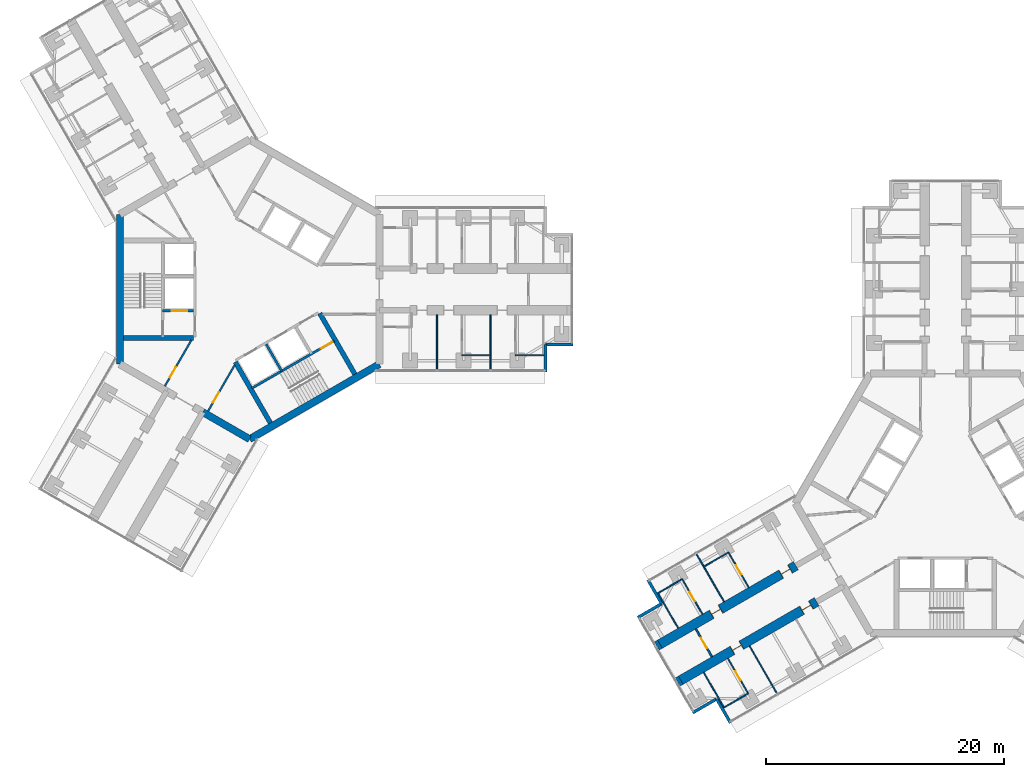
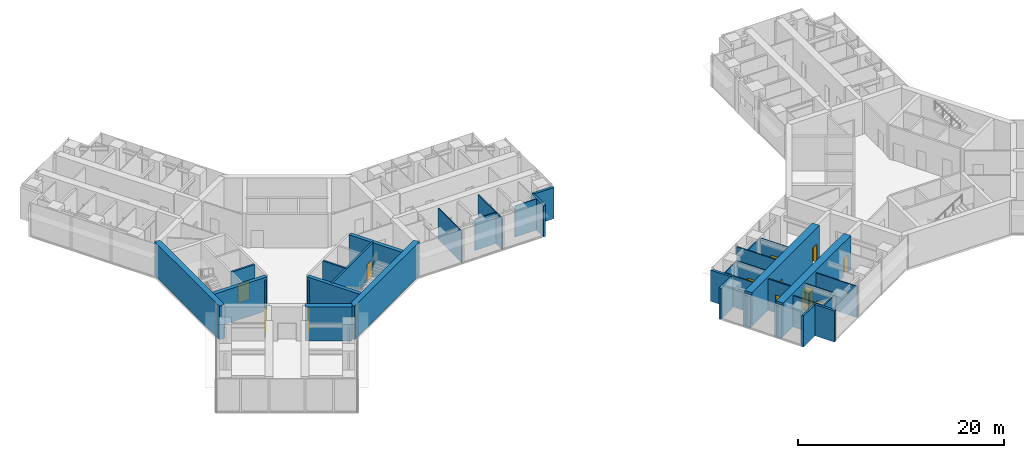
# One storey, part 15 of 23: 36 walls, 12 doors, 12 openings.
"""IFC4 building model written with IfcOpenShell, lengths in metres."""

from ifc_helpers import new_model, si_unit, direction, frame, frame_2d, origin, place, context, subcontext, project, spatial, rectangle, extrude, material, layer, layer_set, type_object, element, fill, save


model = new_model("IFC4")

# Units and contexts
model_context = context("Model", 3, precision=1e-05, world=origin(), true_north=direction((0.0, 1.0)))
body_context = subcontext(model_context, "Body", "Model", "MODEL_VIEW")
ifc_project = project(units=[si_unit("LENGTHUNIT", "METRE"), si_unit("AREAUNIT", "SQUARE_METRE"), si_unit("VOLUMEUNIT", "CUBIC_METRE"), si_unit("PLANEANGLEUNIT", "RADIAN"), si_unit("MASSUNIT", "GRAM", prefix="KILO")], contexts=[model_context])

# Site, building, storey
site_placement = place(None, origin())
site = spatial("IfcSite", under=ifc_project, at=site_placement, CompositionType="ELEMENT")
building_placement = place(site_placement, origin())
building = spatial("IfcBuilding", under=site, at=building_placement, Name="Upepo Twin Towers", CompositionType="ELEMENT")
storey_placement = place(building_placement, frame((0.0, 0.0, 161.5)))
storey = spatial("IfcBuildingStorey", under=building, at=storey_placement, Name="L39", CompositionType="ELEMENT", Elevation=161.5)

# Walls
ifc_material_1 = material(Name="Dense concrete blockwork", Category="masonry")
ifc_layer_1 = layer(ifc_material_1, 0.800048828125)
ifc_layer_set_1 = layer_set([ifc_layer_1], Name="Buttress closer 800, blockwork with fire-stopping to the curtain wall")
wall_type_1 = type_object("IfcWallType", Name="Buttress closer 800, blockwork with fire-stopping to the curtain wall", PredefinedType="PARTITIONING", material=ifc_layer_set_1)
wall_1_placement = place(storey_placement, frame((36.252197265625, -32.865478515625, 0.0), z_axis=(0.0, 0.0, 1.0), x_axis=(-0.865778900179, -0.500426713919, 0.0)))
element("IfcWall", 1, at=wall_1_placement, inside=storey, type_object=wall_type_1, Name="T2 L39 wing B buttress closer L", PredefinedType="PARTITIONING", context=body_context, shape_type="SweptSolid", body=[
    extrude(rectangle(XDim=0.300048828125, YDim=0.800048828125, at=frame_2d((0.14990234375, 0.0))), origin(), (0.0, 0.0, 1.0), 3.699951171875),
])
wall_2_placement = place(storey_placement, frame((34.502197265625, -29.83447265625, 0.0), z_axis=(0.0, 0.0, 1.0), x_axis=(-0.866131372301, -0.499816412211, 0.0)))
element("IfcWall", 2, at=wall_2_placement, inside=storey, type_object=wall_type_1, Name="T2 L39 wing B buttress closer R", PredefinedType="PARTITIONING", context=body_context, shape_type="SweptSolid", body=[
    extrude(rectangle(XDim=0.2998046875, YDim=0.800048828125, at=frame_2d((0.14990234375, 0.0))), origin(), (0.0, 0.0, 1.0), 3.699951171875),
])

# Wall, openings, doors
ifc_material_2 = material(Name="Concrete C60/75", Category="concrete")
ifc_layer_2 = layer(ifc_material_2, 0.800048828125)
ifc_layer_set_2 = layer_set([ifc_layer_2], Name="Concrete C60/75")
wall_type_2 = type_object("IfcWallType", Name="Buttress wall 800 RC", PredefinedType="SHEAR", material=ifc_layer_set_2)
wall_3_placement = place(storey_placement, frame((47.68359375, -26.265625, 0.0), z_axis=(0.0, 0.0, 1.0), x_axis=(-0.866027579429, -0.499996231654, 0.0)))
wall_3 = element("IfcWall", 3, at=wall_3_placement, inside=storey, type_object=wall_type_2, Name="T2 wing B buttress wall L part 2", PredefinedType="SHEAR", context=body_context, shape_type="SweptSolid", body=[
    extrude(rectangle(XDim=13.19970703125, YDim=0.800048828125, at=frame_2d((6.599853515625, 0.0))), origin(), (0.0, 0.0, 1.0), 4.0),
])
opening_1_placement = place(wall_3_placement, frame((0.550048828125, 0.0, 0.0)))
opening_1 = element("IfcOpeningElement", 4, at=opening_1_placement, cuts=wall_3, Name="Opening D14", PredefinedType="OPENING", context=body_context, shape_type="SweptSolid", body=[
    extrude(rectangle(XDim=0.89990234375, YDim=2.10009765625, at=frame_2d((0.449951171875, 1.050048828125))), frame((0.0, 0.409912109375, 0.0), z_axis=(0.0, -1.0, 0.0), x_axis=(1.0, 0.0, 0.0)), (0.0, 0.0, 1.0), 0.820068359375),
])
opening_2_placement = place(wall_3_placement, frame((7.300048828125, 0.0, 0.0)))
opening_2 = element("IfcOpeningElement", 5, at=opening_2_placement, cuts=wall_3, Name="Opening D14", PredefinedType="OPENING", context=body_context, shape_type="SweptSolid", body=[
    extrude(rectangle(XDim=0.89990234375, YDim=2.10009765625, at=frame_2d((0.449951171875, 1.050048828125))), frame((0.0, 0.409912109375, 0.0), z_axis=(0.0, -1.0, 0.0), x_axis=(1.0, 0.0, 0.0)), (0.0, 0.0, 1.0), 0.820068359375),
])
ifc_material_3 = material(Name="Timber doorset", Category="wood")
door_type_1 = type_object("IfcDoorType", Name="Office door 900 FD30", OperationType="SINGLE_SWING_LEFT", PredefinedType="DOOR", material=ifc_material_3)
door_1_placement = place(opening_1_placement, origin())
door_1 = element("IfcDoor", 6, at=door_1_placement, inside=storey, type_object=door_type_1, Name="T2 L39 staff office door", OperationType="SINGLE_SWING_LEFT", OverallHeight=2.10009765625, OverallWidth=0.89990234375, PredefinedType="DOOR", context=body_context, shape_type="SweptSolid", body=[
    extrude(rectangle(XDim=0.81990234375, YDim=2.06009765625, at=frame_2d((0.449951171875, 1.030029296875))), frame((0.0, 0.02490234375, 0.0), z_axis=(0.0, -1.0, 0.0), x_axis=(1.0, 0.0, 0.0)), (0.0, 0.0, 1.0), 0.050048828125),
    extrude(rectangle(XDim=0.04, YDim=2.10009765625, at=frame_2d((0.02001953125, 1.050048828125))), frame((0.0, 0.39990234375, 0.0), z_axis=(0.0, -1.0, 0.0), x_axis=(1.0, 0.0, 0.0)), (0.0, 0.0, 1.0), 0.799560546875),
    extrude(rectangle(XDim=0.04, YDim=2.10009765625, at=frame_2d((0.8798828125, 1.050048828125))), frame((0.0, 0.39990234375, 0.0), z_axis=(0.0, -1.0, 0.0), x_axis=(1.0, 0.0, 0.0)), (0.0, 0.0, 1.0), 0.799560546875),
    extrude(rectangle(XDim=0.81990234375, YDim=0.04, at=frame_2d((0.449951171875, 2.080078125))), frame((0.0, 0.39990234375, 0.0), z_axis=(0.0, -1.0, 0.0), x_axis=(1.0, 0.0, 0.0)), (0.0, 0.0, 1.0), 0.799560546875),
])
fill(opening_1, door_1)
door_2_placement = place(opening_2_placement, origin())
door_2 = element("IfcDoor", 7, at=door_2_placement, inside=storey, type_object=door_type_1, Name="T2 L39 staff office door", OperationType="SINGLE_SWING_RIGHT", OverallHeight=2.10009765625, OverallWidth=0.89990234375, PredefinedType="DOOR", context=body_context, shape_type="SweptSolid", body=[
    extrude(rectangle(XDim=0.81990234375, YDim=2.06009765625, at=frame_2d((0.449951171875, 1.030029296875))), frame((0.0, 0.02490234375, 0.0), z_axis=(0.0, -1.0, 0.0), x_axis=(1.0, 0.0, 0.0)), (0.0, 0.0, 1.0), 0.050048828125),
    extrude(rectangle(XDim=0.04, YDim=2.10009765625, at=frame_2d((0.02001953125, 1.050048828125))), frame((0.0, 0.39990234375, 0.0), z_axis=(0.0, -1.0, 0.0), x_axis=(1.0, 0.0, 0.0)), (0.0, 0.0, 1.0), 0.799560546875),
    extrude(rectangle(XDim=0.04, YDim=2.10009765625, at=frame_2d((0.8798828125, 1.050048828125))), frame((0.0, 0.39990234375, 0.0), z_axis=(0.0, -1.0, 0.0), x_axis=(1.0, 0.0, 0.0)), (0.0, 0.0, 1.0), 0.799560546875),
    extrude(rectangle(XDim=0.81990234375, YDim=0.04, at=frame_2d((0.449951171875, 2.080078125))), frame((0.0, 0.39990234375, 0.0), z_axis=(0.0, -1.0, 0.0), x_axis=(1.0, 0.0, 0.0)), (0.0, 0.0, 1.0), 0.799560546875),
])
fill(opening_2, door_2)

wall_4_placement = place(storey_placement, frame((45.93359375, -23.234375, 0.0), z_axis=(0.0, 0.0, 1.0), x_axis=(-0.866019570528, -0.500010103361, 0.0)))
wall_4 = element("IfcWall", 8, at=wall_4_placement, inside=storey, type_object=wall_type_2, Name="T2 wing B buttress wall R part 2", PredefinedType="SHEAR", context=body_context, shape_type="SweptSolid", body=[
    extrude(rectangle(XDim=13.199951171875, YDim=0.800048828125, at=frame_2d((6.60009765625, 0.0))), origin(), (0.0, 0.0, 1.0), 4.0),
])
opening_3_placement = place(wall_4_placement, frame((0.550048828125, 0.0, 0.0)))
opening_3 = element("IfcOpeningElement", 9, at=opening_3_placement, cuts=wall_4, Name="Opening D14", PredefinedType="OPENING", context=body_context, shape_type="SweptSolid", body=[
    extrude(rectangle(XDim=0.89990234375, YDim=2.10009765625, at=frame_2d((0.449951171875, 1.050048828125))), frame((0.0, 0.409912109375, 0.0), z_axis=(0.0, -1.0, 0.0), x_axis=(1.0, 0.0, 0.0)), (0.0, 0.0, 1.0), 0.820068359375),
])
opening_4_placement = place(wall_4_placement, frame((7.300048828125, 0.0, 0.0)))
opening_4 = element("IfcOpeningElement", 10, at=opening_4_placement, cuts=wall_4, Name="Opening D14", PredefinedType="OPENING", context=body_context, shape_type="SweptSolid", body=[
    extrude(rectangle(XDim=0.89990234375, YDim=2.10009765625, at=frame_2d((0.449951171875, 1.050048828125))), frame((0.0, 0.409912109375, 0.0), z_axis=(0.0, -1.0, 0.0), x_axis=(1.0, 0.0, 0.0)), (0.0, 0.0, 1.0), 0.820068359375),
])
door_3_placement = place(opening_3_placement, origin())
door_3 = element("IfcDoor", 11, at=door_3_placement, inside=storey, type_object=door_type_1, Name="T2 L39 law clinic door", OperationType="SINGLE_SWING_LEFT", OverallHeight=2.10009765625, OverallWidth=0.89990234375, PredefinedType="DOOR", context=body_context, shape_type="SweptSolid", body=[
    extrude(rectangle(XDim=0.81990234375, YDim=2.06009765625, at=frame_2d((0.449951171875, 1.030029296875))), frame((0.0, 0.02490234375, 0.0), z_axis=(0.0, -1.0, 0.0), x_axis=(1.0, 0.0, 0.0)), (0.0, 0.0, 1.0), 0.050048828125),
    extrude(rectangle(XDim=0.04, YDim=2.10009765625, at=frame_2d((0.02001953125, 1.050048828125))), frame((0.0, 0.39990234375, 0.0), z_axis=(0.0, -1.0, 0.0), x_axis=(1.0, 0.0, 0.0)), (0.0, 0.0, 1.0), 0.799560546875),
    extrude(rectangle(XDim=0.04, YDim=2.10009765625, at=frame_2d((0.8798828125, 1.050048828125))), frame((0.0, 0.39990234375, 0.0), z_axis=(0.0, -1.0, 0.0), x_axis=(1.0, 0.0, 0.0)), (0.0, 0.0, 1.0), 0.799560546875),
    extrude(rectangle(XDim=0.81990234375, YDim=0.04, at=frame_2d((0.449951171875, 2.080078125))), frame((0.0, 0.39990234375, 0.0), z_axis=(0.0, -1.0, 0.0), x_axis=(1.0, 0.0, 0.0)), (0.0, 0.0, 1.0), 0.799560546875),
])
fill(opening_3, door_3)
door_4_placement = place(opening_4_placement, origin())
door_4 = element("IfcDoor", 12, at=door_4_placement, inside=storey, type_object=door_type_1, Name="T2 L39 postgraduate office door", OperationType="SINGLE_SWING_RIGHT", OverallHeight=2.10009765625, OverallWidth=0.89990234375, PredefinedType="DOOR", context=body_context, shape_type="SweptSolid", body=[
    extrude(rectangle(XDim=0.81990234375, YDim=2.06009765625, at=frame_2d((0.449951171875, 1.030029296875))), frame((0.0, 0.02490234375, 0.0), z_axis=(0.0, -1.0, 0.0), x_axis=(1.0, 0.0, 0.0)), (0.0, 0.0, 1.0), 0.050048828125),
    extrude(rectangle(XDim=0.04, YDim=2.10009765625, at=frame_2d((0.02001953125, 1.050048828125))), frame((0.0, 0.39990234375, 0.0), z_axis=(0.0, -1.0, 0.0), x_axis=(1.0, 0.0, 0.0)), (0.0, 0.0, 1.0), 0.799560546875),
    extrude(rectangle(XDim=0.04, YDim=2.10009765625, at=frame_2d((0.8798828125, 1.050048828125))), frame((0.0, 0.39990234375, 0.0), z_axis=(0.0, -1.0, 0.0), x_axis=(1.0, 0.0, 0.0)), (0.0, 0.0, 1.0), 0.799560546875),
    extrude(rectangle(XDim=0.81990234375, YDim=0.04, at=frame_2d((0.449951171875, 2.080078125))), frame((0.0, 0.39990234375, 0.0), z_axis=(0.0, -1.0, 0.0), x_axis=(1.0, 0.0, 0.0)), (0.0, 0.0, 1.0), 0.799560546875),
])
fill(opening_4, door_4)

# Walls
ifc_material_4 = material(Name="Concrete C60/75", Category="concrete")
ifc_layer_3 = layer(ifc_material_4, 0.60009765625)
ifc_layer_set_3 = layer_set([ifc_layer_3], Name="Concrete C60/75")
wall_type_3 = type_object("IfcWallType", Name="Core wall 600 RC", PredefinedType="SHEAR", material=ifc_layer_set_3)
wall_5_placement = place(storey_placement, frame((-10.908447265625, 6.2978515625, 0.0), z_axis=(0.0, 0.0, 1.0), x_axis=(0.0, -1.0, 0.0)))
element("IfcWall", 13, at=wall_5_placement, inside=storey, type_object=wall_type_3, Name="T1 core wall 180", PredefinedType="SHEAR", context=body_context, shape_type="SweptSolid", body=[
    extrude(rectangle(XDim=12.595703125, YDim=0.60009765625, at=frame_2d((6.2978515625, 0.0))), origin(), (0.0, 0.0, 1.0), 4.0),
])
wall_6_placement = place(storey_placement, frame((-3.938720703125, -10.32177734375, 0.0), z_axis=(0.0, 0.0, 1.0), x_axis=(0.866011268655, -0.500024481964, 0.0)))
element("IfcWall", 14, at=wall_6_placement, inside=storey, type_object=wall_type_3, Name="T1 core wall 240 L", PredefinedType="SHEAR", context=body_context, shape_type="SweptSolid", body=[
    extrude(rectangle(XDim=4.548095703125, YDim=0.60009765625, at=frame_2d((2.27392578125, 0.0))), origin(), (0.0, 0.0, 1.0), 4.0),
])
wall_7_placement = place(storey_placement, frame((0.0, -12.595947265625, 0.0), z_axis=(0.0, 0.0, 1.0), x_axis=(0.866021940709, 0.500005998175, 0.0)))
element("IfcWall", 15, at=wall_7_placement, inside=storey, type_object=wall_type_3, Name="T1 core wall 300", PredefinedType="SHEAR", context=body_context, shape_type="SweptSolid", body=[
    extrude(rectangle(XDim=12.595947265625, YDim=0.60009765625, at=frame_2d((6.2978515625, 0.0))), origin(), (0.0, 0.0, 1.0), 4.0),
])
ifc_material_5 = material(Name="Blockwork with anodised aluminium cladding", Category="masonry")
ifc_layer_4 = layer(ifc_material_5, 0.25)
ifc_layer_set_4 = layer_set([ifc_layer_4], Name="Notch cladding wall 250, pale metal")
wall_type_4 = type_object("IfcWallType", Name="Notch cladding wall 250, pale metal", PredefinedType="STANDARD", material=ifc_layer_set_4)
for number, where, z_axis, x_axis, name in (
    (16, (24.875, -6.949951171875, 0.0), (0.0, 0.0, 1.0), (0.0, 1.0, 0.0), "T1 L39 wing A notch wall R1"),
    (17, (24.875, -4.625, 0.0), (0.0, 0.0, 1.0), (1.0, 0.0, 0.0), "T1 L39 wing A notch wall R2"),
    (18, (40.4326171875, -36.456298828125, 0.0), (0.0, 0.0, 1.0), (-0.500046648681, 0.865998469481, 0.0), "T2 L39 wing B notch wall L1"),
    (19, (39.27001953125, -34.44287109375, 0.0), (0.0, 0.0, 1.0), (-0.865998469481, -0.500046648681, 0.0), "T2 L39 wing B notch wall L2"),
    (20, (33.482666015625, -24.418701171875, 0.0), (0.0, 0.0, 1.0), (0.499967891604, -0.866043940782, 0.0), "T2 L39 wing B notch wall R1"),
    (21, (34.64501953125, -26.43212890625, 0.0), (0.0, 0.0, 1.0), (-0.865998469481, -0.500046648681, 0.0), "T2 L39 wing B notch wall R2"),
):
    element("IfcWall", number, at=place(storey_placement, frame(where, z_axis=z_axis, x_axis=x_axis)), inside=storey, type_object=wall_type_4, Name=name, PredefinedType="STANDARD", context=body_context, shape_type="SweptSolid", body=[
        extrude(rectangle(XDim=2.324951171875, YDim=0.25, at=frame_2d((1.16259765625, 0.0))), origin(), (0.0, 0.0, 1.0), 3.699951171875),
    ])
ifc_material_6 = material(Name="Gypsum board on steel studs", Category="steel")
ifc_layer_5 = layer(ifc_material_6, 0.10009765625)
ifc_layer_set_5 = layer_set([ifc_layer_5], Name="Office partition 100 stud")
wall_type_5 = type_object("IfcWallType", Name="Office partition 100 stud", PredefinedType="PARTITIONING", material=ifc_layer_set_5)
for number, where, z_axis, x_axis, name in (
    (22, (15.75, -2.14990234375, 0.0), (0.0, 0.0, 1.0), (0.0, -1.0, 0.0), "T1 partition AR at 15.75"),
    (23, (20.25, -2.14990234375, 0.0), (0.0, 0.0, 1.0), (0.0, -1.0, 0.0), "T1 partition AR at 20.25"),
):
    element("IfcWall", number, at=place(storey_placement, frame(where, z_axis=z_axis, x_axis=x_axis)), inside=storey, type_object=wall_type_5, Name=name, PredefinedType="PARTITIONING", context=body_context, shape_type="SweptSolid", body=[
        extrude(rectangle(XDim=4.60009765625, YDim=0.10009765625, at=frame_2d((2.300048828125, 0.0))), origin(), (0.0, 0.0, 1.0), 3.699951171875),
    ])
for number, where, z_axis, x_axis, name in (
    (24, (17.85009765625, -5.550048828125, 0.0), (0.0, 0.0, 1.0), (1.0, 0.0, 0.0), "T1 inner room partition AR at 17.85"),
    (25, (22.35009765625, -5.550048828125, 0.0), (0.0, 0.0, 1.0), (1.0, 0.0, 0.0), "T1 inner room partition AR at 22.35"),
):
    element("IfcWall", number, at=place(storey_placement, frame(where, z_axis=z_axis, x_axis=x_axis)), inside=storey, type_object=wall_type_5, Name=name, PredefinedType="PARTITIONING", context=body_context, shape_type="SweptSolid", body=[
        extrude(rectangle(XDim=2.39990234375, YDim=0.10009765625, at=frame_2d((1.199951171875, 0.0))), origin(), (0.0, 0.0, 1.0), 3.699951171875),
    ])
wall_8_placement = place(storey_placement, frame((42.0380859375, -29.987060546875, 0.0), z_axis=(0.0, 0.0, 1.0), x_axis=(0.499975146636, -0.866039752405, 0.0)))
element("IfcWall", 26, at=wall_8_placement, inside=storey, type_object=wall_type_5, Name="T2 partition BL at 20.25", PredefinedType="PARTITIONING", context=body_context, shape_type="SweptSolid", body=[
    extrude(rectangle(XDim=4.599853515625, YDim=0.10009765625, at=frame_2d((2.2998046875, 0.0))), origin(), (0.0, 0.0, 1.0), 3.699951171875),
])
wall_9_placement = place(storey_placement, frame((41.91943359375, -33.9814453125, 0.0), z_axis=(0.0, 0.0, 1.0), x_axis=(-0.866050077142, -0.499957262057, 0.0)))
element("IfcWall", 27, at=wall_9_placement, inside=storey, type_object=wall_type_5, Name="T2 inner room partition BL at 22.35", PredefinedType="PARTITIONING", context=body_context, shape_type="SweptSolid", body=[
    extrude(rectangle(XDim=2.400146484375, YDim=0.10009765625, at=frame_2d((1.2001953125, 0.0))), origin(), (0.0, 0.0, 1.0), 3.699951171875),
])

# Wall, opening, door
wall_10_placement = place(storey_placement, frame((40.21923828125, -31.036865234375, 0.0), z_axis=(0.0, 0.0, 1.0), x_axis=(0.500031147688, -0.866007419912, 0.0)))
wall_10 = element("IfcWall", 28, at=wall_10_placement, inside=storey, type_object=wall_type_5, Name="T2 inner room partition BL end at 22.35", PredefinedType="PARTITIONING", context=body_context, shape_type="SweptSolid", body=[
    extrude(rectangle(XDim=3.400146484375, YDim=0.10009765625, at=frame_2d((1.7001953125, 0.0))), origin(), (0.0, 0.0, 1.0), 3.699951171875),
])
opening_5_placement = place(wall_10_placement, frame((1.25, 0.0, 0.0)))
opening_5 = element("IfcOpeningElement", 29, at=opening_5_placement, cuts=wall_10, Name="Opening D14", PredefinedType="OPENING", context=body_context, shape_type="SweptSolid", body=[
    extrude(rectangle(XDim=0.89990234375, YDim=2.10009765625, at=frame_2d((0.449951171875, 1.050048828125))), frame((0.0, 0.06005859375, 0.0), z_axis=(0.0, -1.0, 0.0), x_axis=(1.0, 0.0, 0.0)), (0.0, 0.0, 1.0), 0.1201171875),
])
door_5_placement = place(opening_5_placement, origin())
door_5 = element("IfcDoor", 30, at=door_5_placement, inside=storey, type_object=door_type_1, Name="T2 L39 inner room door", OperationType="SINGLE_SWING_LEFT", OverallHeight=2.10009765625, OverallWidth=0.89990234375, PredefinedType="DOOR", context=body_context, shape_type="SweptSolid", body=[
    extrude(rectangle(XDim=0.89990234375, YDim=2.10009765625, at=frame_2d((0.449951171875, 1.050048828125))), frame((0.0, 0.02490234375, 0.0), z_axis=(0.0, -1.0, 0.0), x_axis=(1.0, 0.0, 0.0)), (0.0, 0.0, 1.0), 0.050048828125),
])
fill(opening_5, door_5)

# Walls
wall_11_placement = place(storey_placement, frame((38.18408203125, -32.2119140625, 0.0), z_axis=(0.0, 0.0, 1.0), x_axis=(0.500031147688, -0.866007419912, 0.0)))
element("IfcWall", 31, at=wall_11_placement, inside=storey, type_object=wall_type_5, Name="T2 inner room partition BL end at 24.75", PredefinedType="PARTITIONING", context=body_context, shape_type="SweptSolid", body=[
    extrude(rectangle(XDim=3.400146484375, YDim=0.10009765625, at=frame_2d((1.7001953125, 0.0))), origin(), (0.0, 0.0, 1.0), 3.699951171875),
])
wall_12_placement = place(storey_placement, frame((39.887939453125, -26.262939453125, 0.0), z_axis=(0.0, 0.0, 1.0), x_axis=(-0.500014953309, 0.866016770315, 0.0)))
element("IfcWall", 32, at=wall_12_placement, inside=storey, type_object=wall_type_5, Name="T2 partition BR at 20.25", PredefinedType="PARTITIONING", context=body_context, shape_type="SweptSolid", body=[
    extrude(rectangle(XDim=4.599853515625, YDim=0.10009765625, at=frame_2d((2.2998046875, 0.0))), origin(), (0.0, 0.0, 1.0), 3.699951171875),
])
wall_13_placement = place(storey_placement, frame((40.266357421875, -22.11865234375, 0.0), z_axis=(0.0, 0.0, 1.0), x_axis=(-0.866024647952, -0.500001309137, 0.0)))
element("IfcWall", 33, at=wall_13_placement, inside=storey, type_object=wall_type_5, Name="T2 inner room partition BR at 17.85", PredefinedType="PARTITIONING", context=body_context, shape_type="SweptSolid", body=[
    extrude(rectangle(XDim=2.39990234375, YDim=0.10009765625, at=frame_2d((1.199951171875, 0.0))), origin(), (0.0, 0.0, 1.0), 3.699951171875),
])

# Wall, opening, door
wall_14_placement = place(storey_placement, frame((41.966552734375, -25.06298828125, 0.0), z_axis=(0.0, 0.0, 1.0), x_axis=(-0.500062241894, 0.865989465428, 0.0)))
wall_14 = element("IfcWall", 34, at=wall_14_placement, inside=storey, type_object=wall_type_5, Name="T2 inner room partition BR end at 17.85", PredefinedType="PARTITIONING", context=body_context, shape_type="SweptSolid", body=[
    extrude(rectangle(XDim=3.39990234375, YDim=0.10009765625, at=frame_2d((1.699951171875, 0.0))), origin(), (0.0, 0.0, 1.0), 3.699951171875),
])
opening_6_placement = place(wall_14_placement, frame((1.25, 0.0, 0.0)))
opening_6 = element("IfcOpeningElement", 35, at=opening_6_placement, cuts=wall_14, Name="Opening D14", PredefinedType="OPENING", context=body_context, shape_type="SweptSolid", body=[
    extrude(rectangle(XDim=0.89990234375, YDim=2.10009765625, at=frame_2d((0.449951171875, 1.050048828125))), frame((0.0, 0.06005859375, 0.0), z_axis=(0.0, -1.0, 0.0), x_axis=(1.0, 0.0, 0.0)), (0.0, 0.0, 1.0), 0.1201171875),
])
door_6_placement = place(opening_6_placement, origin())
door_6 = element("IfcDoor", 36, at=door_6_placement, inside=storey, type_object=door_type_1, Name="T2 L39 inner room door", OperationType="SINGLE_SWING_LEFT", OverallHeight=2.10009765625, OverallWidth=0.89990234375, PredefinedType="DOOR", context=body_context, shape_type="SweptSolid", body=[
    extrude(rectangle(XDim=0.89990234375, YDim=2.10009765625, at=frame_2d((0.449951171875, 1.050048828125))), frame((0.0, 0.02490234375, 0.0), z_axis=(0.0, -1.0, 0.0), x_axis=(1.0, 0.0, 0.0)), (0.0, 0.0, 1.0), 0.050048828125),
])
fill(opening_6, door_6)

# Wall
wall_15_placement = place(storey_placement, frame((36.369384765625, -24.36865234375, 0.0), z_axis=(0.0, 0.0, 1.0), x_axis=(-0.866050077142, -0.499957262057, 0.0)))
element("IfcWall", 37, at=wall_15_placement, inside=storey, type_object=wall_type_5, Name="T2 inner room partition BR at 22.35", PredefinedType="PARTITIONING", context=body_context, shape_type="SweptSolid", body=[
    extrude(rectangle(XDim=2.400146484375, YDim=0.10009765625, at=frame_2d((1.2001953125, 0.0))), origin(), (0.0, 0.0, 1.0), 3.699951171875),
])

# Wall, opening, door
wall_16_placement = place(storey_placement, frame((38.0693359375, -27.31298828125, 0.0), z_axis=(0.0, 0.0, 1.0), x_axis=(-0.500008388397, 0.866020560687, 0.0)))
wall_16 = element("IfcWall", 38, at=wall_16_placement, inside=storey, type_object=wall_type_5, Name="T2 inner room partition BR end at 22.35", PredefinedType="PARTITIONING", context=body_context, shape_type="SweptSolid", body=[
    extrude(rectangle(XDim=3.39990234375, YDim=0.10009765625, at=frame_2d((1.699951171875, 0.0))), origin(), (0.0, 0.0, 1.0), 3.699951171875),
])
opening_7_placement = place(wall_16_placement, frame((1.25, 0.0, 0.0)))
opening_7 = element("IfcOpeningElement", 39, at=opening_7_placement, cuts=wall_16, Name="Opening D14", PredefinedType="OPENING", context=body_context, shape_type="SweptSolid", body=[
    extrude(rectangle(XDim=0.89990234375, YDim=2.10009765625, at=frame_2d((0.449951171875, 1.050048828125))), frame((0.0, 0.06005859375, 0.0), z_axis=(0.0, -1.0, 0.0), x_axis=(1.0, 0.0, 0.0)), (0.0, 0.0, 1.0), 0.1201171875),
])
door_7_placement = place(opening_7_placement, origin())
door_7 = element("IfcDoor", 40, at=door_7_placement, inside=storey, type_object=door_type_1, Name="T2 L39 inner room door", OperationType="SINGLE_SWING_LEFT", OverallHeight=2.10009765625, OverallWidth=0.89990234375, PredefinedType="DOOR", context=body_context, shape_type="SweptSolid", body=[
    extrude(rectangle(XDim=0.89990234375, YDim=2.10009765625, at=frame_2d((0.449951171875, 1.050048828125))), frame((0.0, 0.02490234375, 0.0), z_axis=(0.0, -1.0, 0.0), x_axis=(1.0, 0.0, 0.0)), (0.0, 0.0, 1.0), 0.050048828125),
])
fill(opening_7, door_7)

# Wall
wall_17_placement = place(storey_placement, frame((36.0341796875, -28.488037109375, 0.0), z_axis=(0.0, 0.0, 1.0), x_axis=(-0.499977295307, 0.866038511948, 0.0)))
element("IfcWall", 41, at=wall_17_placement, inside=storey, type_object=wall_type_5, Name="T2 inner room partition BR end at 24.75", PredefinedType="PARTITIONING", context=body_context, shape_type="SweptSolid", body=[
    extrude(rectangle(XDim=3.400146484375, YDim=0.10009765625, at=frame_2d((1.7001953125, 0.0))), origin(), (0.0, 0.0, 1.0), 3.699951171875),
])

# Wall, opening, door
ifc_material_7 = material(Name="Concrete C40/50", Category="concrete")
ifc_layer_6 = layer(ifc_material_7, 0.199951171875)
ifc_layer_set_6 = layer_set([ifc_layer_6], Name="Concrete C40/50")
wall_type_6 = type_object("IfcWallType", Name="Shaft wall 200 RC", PredefinedType="SHEAR", material=ifc_layer_set_6)
wall_18_placement = place(storey_placement, frame((-4.699951171875, -1.800048828125, 0.0), z_axis=(0.0, 0.0, 1.0), x_axis=(-1.0, 0.0, 0.0)))
wall_18 = element("IfcWall", 42, at=wall_18_placement, inside=storey, type_object=wall_type_6, Name="T1 core W180 lobby wall", PredefinedType="SHEAR", context=body_context, shape_type="SweptSolid", body=[
    extrude(rectangle(XDim=2.60009765625, YDim=0.199951171875, at=frame_2d((1.300048828125, 0.0))), origin(), (0.0, 0.0, 1.0), 4.0),
])
opening_8_placement = place(wall_18_placement, frame((0.550048828125, 0.0, 0.0)))
opening_8 = element("IfcOpeningElement", 43, at=opening_8_placement, cuts=wall_18, Name="Opening LD2", PredefinedType="OPENING", context=body_context, shape_type="SweptSolid", body=[
    extrude(rectangle(XDim=1.300048828125, YDim=2.199951171875, at=frame_2d((0.64990234375, 1.10009765625))), frame((0.0, 0.10986328125, 0.0), z_axis=(0.0, -1.0, 0.0), x_axis=(1.0, 0.0, 0.0)), (0.0, 0.0, 1.0), 0.219970703125),
])
ifc_material_8 = material(Name="Steel doorset", Category="steel")
door_type_2 = type_object("IfcDoorType", Name="Firefighting lift landing door 1300", OperationType="DOUBLE_DOOR_SLIDING", PredefinedType="DOOR", material=ifc_material_8)
door_8_placement = place(opening_8_placement, origin())
door_8 = element("IfcDoor", 44, at=door_8_placement, inside=storey, type_object=door_type_2, Name="T1 L39 firefighting lift landing door", OperationType="DOUBLE_DOOR_SLIDING", OverallHeight=2.199951171875, OverallWidth=1.300048828125, PredefinedType="DOOR", context=body_context, shape_type="SweptSolid", body=[
    extrude(rectangle(XDim=1.300048828125, YDim=2.199951171875, at=frame_2d((0.64990234375, 1.10009765625))), frame((0.0, 0.02490234375, 0.0), z_axis=(0.0, -1.0, 0.0), x_axis=(1.0, 0.0, 0.0)), (0.0, 0.0, 1.0), 0.050048828125),
])
fill(opening_8, door_8)

# Wall
wall_19_placement = place(storey_placement, frame((1.3974609375, -4.620361328125, 0.0), z_axis=(0.0, 0.0, 1.0), x_axis=(0.499936506574, -0.866062058628, 0.0)))
element("IfcWall", 45, at=wall_19_placement, inside=storey, type_object=wall_type_6, Name="T1 core W300 shaft divider", PredefinedType="SHEAR", context=body_context, shape_type="SweptSolid", body=[
    extrude(rectangle(XDim=2.599853515625, YDim=0.199951171875, at=frame_2d((1.2998046875, 0.0))), origin(), (0.0, 0.0, 1.0), 4.0),
])

# Wall, opening, door
wall_20_placement = place(storey_placement, frame((0.185791015625, -8.322021484375, 0.0), z_axis=(0.0, 0.0, 1.0), x_axis=(0.866026010844, 0.49999894854, 0.0)))
wall_20 = element("IfcWall", 46, at=wall_20_placement, inside=storey, type_object=wall_type_6, Name="T1 core W300 stair wall", PredefinedType="SHEAR", context=body_context, shape_type="SweptSolid", body=[
    extrude(rectangle(XDim=8.0, YDim=0.199951171875, at=frame_2d((4.0, 0.0))), origin(), (0.0, 0.0, 1.0), 4.0),
])
opening_9_placement = place(wall_20_placement, frame((6.699951171875, 0.0, 0.0)))
opening_9 = element("IfcOpeningElement", 47, at=opening_9_placement, cuts=wall_20, Name="Opening D3", PredefinedType="OPENING", context=body_context, shape_type="SweptSolid", body=[
    extrude(rectangle(XDim=1.10009765625, YDim=2.10009765625, at=frame_2d((0.550048828125, 1.050048828125))), frame((0.0, 0.10986328125, 0.0), z_axis=(0.0, -1.0, 0.0), x_axis=(1.0, 0.0, 0.0)), (0.0, 0.0, 1.0), 0.219970703125),
])
ifc_material_9 = material(Name="Timber doorset", Category="wood")
door_type_3 = type_object("IfcDoorType", Name="Stair door 1100 FD60", OperationType="SINGLE_SWING_LEFT", PredefinedType="DOOR", material=ifc_material_9)
door_9_placement = place(opening_9_placement, origin())
door_9 = element("IfcDoor", 48, at=door_9_placement, inside=storey, type_object=door_type_3, Name="T1 L39 stair door", OperationType="SINGLE_SWING_RIGHT", OverallHeight=2.10009765625, OverallWidth=1.10009765625, PredefinedType="DOOR", context=body_context, shape_type="SweptSolid", body=[
    extrude(rectangle(XDim=1.10009765625, YDim=2.10009765625, at=frame_2d((0.550048828125, 1.050048828125))), frame((0.0, 0.02490234375, 0.0), z_axis=(0.0, -1.0, 0.0), x_axis=(1.0, 0.0, 0.0)), (0.0, 0.0, 1.0), 0.050048828125),
])
fill(opening_9, door_9)

# Walls
ifc_material_10 = material(Name="Concrete C40/50", Category="concrete")
ifc_layer_7 = layer(ifc_material_10, 0.39990234375)
ifc_layer_set_7 = layer_set([ifc_layer_7], Name="Concrete C40/50")
wall_type_7 = type_object("IfcWallType", Name="Shaft wall 400 RC", PredefinedType="SHEAR", material=ifc_layer_set_7)
for number, where, z_axis, x_axis, name in (
    (49, (-4.699951171875, -4.10009765625, 0.0), (0.0, 0.0, 1.0), (-1.0, 0.0, 0.0), "T1 core W180 side wall N"),
    (50, (5.900634765625, -2.020263671875, 0.0), (0.0, 0.0, 1.0), (0.500027676417, -0.866009424208, 0.0), "T1 core W300 side wall N"),
):
    element("IfcWall", number, at=place(storey_placement, frame(where, z_axis=z_axis, x_axis=x_axis)), inside=storey, type_object=wall_type_7, Name=name, PredefinedType="SHEAR", context=body_context, shape_type="SweptSolid", body=[
        extrude(rectangle(XDim=5.908447265625, YDim=0.39990234375, at=frame_2d((2.9541015625, 0.0))), origin(), (0.0, 0.0, 1.0), 4.0),
    ])
wall_21_placement = place(storey_placement, frame((-1.20068359375, -6.120361328125, 0.0), z_axis=(0.0, 0.0, 1.0), x_axis=(0.49999668571, -0.866027317282, 0.0)))
element("IfcWall", 51, at=wall_21_placement, inside=storey, type_object=wall_type_7, Name="T1 core W300 side wall S", PredefinedType="SHEAR", context=body_context, shape_type="SweptSolid", body=[
    extrude(rectangle(XDim=5.908203125, YDim=0.39990234375, at=frame_2d((2.9541015625, 0.0))), origin(), (0.0, 0.0, 1.0), 4.0),
])

# Wall, opening, door
ifc_material_11 = material(Name="Gypsum board on steel studs", Category="steel")
ifc_layer_8 = layer(ifc_material_11, 0.14990234375)
ifc_layer_set_8 = layer_set([ifc_layer_8], Name="Teaching partition 150 acoustic")
wall_type_8 = type_object("IfcWallType", Name="Teaching partition 150 acoustic", PredefinedType="PARTITIONING", material=ifc_layer_set_8)
wall_22_placement = place(storey_placement, frame((-1.252685546875, -6.36962890625, 0.0), z_axis=(0.0, 0.0, 1.0), x_axis=(-0.499999473313, -0.866025707867, 0.0)))
wall_22 = element("IfcWall", 52, at=wall_22_placement, inside=storey, type_object=wall_type_8, Name="T1 core room partition 1", PredefinedType="PARTITIONING", context=body_context, shape_type="SweptSolid", body=[
    extrude(rectangle(XDim=4.4755859375, YDim=0.14990234375, at=frame_2d((2.23779296875, 0.0))), origin(), (0.0, 0.0, 1.0), 3.699951171875),
])
opening_10_placement = place(wall_22_placement, frame((2.633056640625, 0.0, 0.0)))
opening_10 = element("IfcOpeningElement", 53, at=opening_10_placement, cuts=wall_22, Name="Opening D1", PredefinedType="OPENING", context=body_context, shape_type="SweptSolid", body=[
    extrude(rectangle(XDim=1.0, YDim=2.10009765625, at=frame_2d((0.5, 1.050048828125))), frame((0.0, 0.0849609375, 0.0), z_axis=(0.0, -1.0, 0.0), x_axis=(1.0, 0.0, 0.0)), (0.0, 0.0, 1.0), 0.169921875),
])
ifc_material_12 = material(Name="Timber doorset", Category="wood")
door_type_4 = type_object("IfcDoorType", Name="Room door 1000 FD30", OperationType="SINGLE_SWING_LEFT", PredefinedType="DOOR", material=ifc_material_12)
door_10_placement = place(opening_10_placement, origin())
door_10 = element("IfcDoor", 54, at=door_10_placement, inside=storey, type_object=door_type_4, Name="T1 L39 core room door K2", OperationType="SINGLE_SWING_RIGHT", OverallHeight=2.10009765625, OverallWidth=1.0, PredefinedType="DOOR", context=body_context, shape_type="SweptSolid", body=[
    extrude(rectangle(XDim=1.0, YDim=2.10009765625, at=frame_2d((0.5, 1.050048828125))), frame((0.0, 0.02490234375, 0.0), z_axis=(0.0, -1.0, 0.0), x_axis=(1.0, 0.0, 0.0)), (0.0, 0.0, 1.0), 0.050048828125),
])
fill(opening_10, door_10)

wall_23_placement = place(storey_placement, frame((-7.127685546875, -8.145751953125, 0.0), z_axis=(0.0, 0.0, 1.0), x_axis=(0.499999473313, 0.866025707867, 0.0)))
wall_23 = element("IfcWall", 55, at=wall_23_placement, inside=storey, type_object=wall_type_8, Name="T1 core room partition 2", PredefinedType="PARTITIONING", context=body_context, shape_type="SweptSolid", body=[
    extrude(rectangle(XDim=4.4755859375, YDim=0.14990234375, at=frame_2d((2.23779296875, 0.0))), origin(), (0.0, 0.0, 1.0), 3.699951171875),
])
opening_11_placement = place(wall_23_placement, frame((0.8427734375, 0.0, 0.0)))
opening_11 = element("IfcOpeningElement", 56, at=opening_11_placement, cuts=wall_23, Name="Opening D1", PredefinedType="OPENING", context=body_context, shape_type="SweptSolid", body=[
    extrude(rectangle(XDim=1.0, YDim=2.10009765625, at=frame_2d((0.5, 1.050048828125))), frame((0.0, 0.0849609375, 0.0), z_axis=(0.0, -1.0, 0.0), x_axis=(1.0, 0.0, 0.0)), (0.0, 0.0, 1.0), 0.169921875),
])
door_11_placement = place(opening_11_placement, origin())
door_11 = element("IfcDoor", 57, at=door_11_placement, inside=storey, type_object=door_type_4, Name="T1 L39 core room door K1", OperationType="SINGLE_SWING_LEFT", OverallHeight=2.10009765625, OverallWidth=1.0, PredefinedType="DOOR", context=body_context, shape_type="SweptSolid", body=[
    extrude(rectangle(XDim=1.0, YDim=2.10009765625, at=frame_2d((0.5, 1.050048828125))), frame((0.0, 0.02490234375, 0.0), z_axis=(0.0, -1.0, 0.0), x_axis=(1.0, 0.0, 0.0)), (0.0, 0.0, 1.0), 0.050048828125),
])
fill(opening_11, door_11)

wall_24_placement = place(storey_placement, frame((37.5166015625, -28.555908203125, 0.0), z_axis=(0.0, 0.0, 1.0), x_axis=(0.500048589285, -0.86599734893, 0.0)))
wall_24 = element("IfcWall", 58, at=wall_24_placement, inside=storey, type_object=wall_type_8, Name="T2 corridor end partition B at 23.45", PredefinedType="PARTITIONING", context=body_context, shape_type="SweptSolid", body=[
    extrude(rectangle(XDim=2.699951171875, YDim=0.14990234375, at=frame_2d((1.35009765625, 0.0))), origin(), (0.0, 0.0, 1.0), 3.699951171875),
])
opening_12_placement = place(wall_24_placement, frame((0.85009765625, 0.0, 0.0)))
opening_12 = element("IfcOpeningElement", 59, at=opening_12_placement, cuts=wall_24, Name="Opening D1", PredefinedType="OPENING", context=body_context, shape_type="SweptSolid", body=[
    extrude(rectangle(XDim=1.0, YDim=2.10009765625, at=frame_2d((0.5, 1.050048828125))), frame((0.0, 0.0849609375, 0.0), z_axis=(0.0, -1.0, 0.0), x_axis=(1.0, 0.0, 0.0)), (0.0, 0.0, 1.0), 0.169921875),
])
door_12_placement = place(opening_12_placement, origin())
door_12 = element("IfcDoor", 60, at=door_12_placement, inside=storey, type_object=door_type_4, Name="T2 L39 breakout study room door", OperationType="SINGLE_SWING_RIGHT", OverallHeight=2.10009765625, OverallWidth=1.0, PredefinedType="DOOR", context=body_context, shape_type="SweptSolid", body=[
    extrude(rectangle(XDim=1.0, YDim=2.10009765625, at=frame_2d((0.5, 1.050048828125))), frame((0.0, 0.02490234375, 0.0), z_axis=(0.0, -1.0, 0.0), x_axis=(1.0, 0.0, 0.0)), (0.0, 0.0, 1.0), 0.050048828125),
])
fill(opening_12, door_12)

save(model, "model.ifc")
